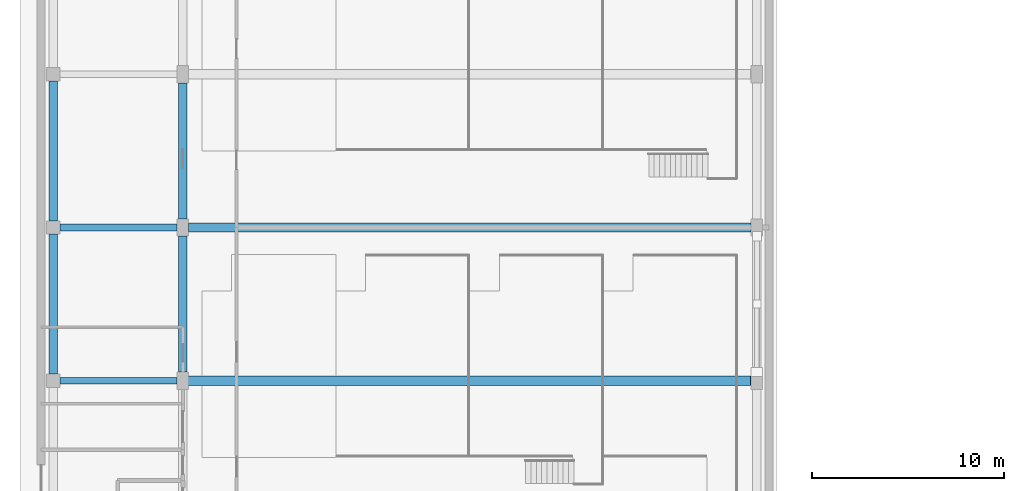
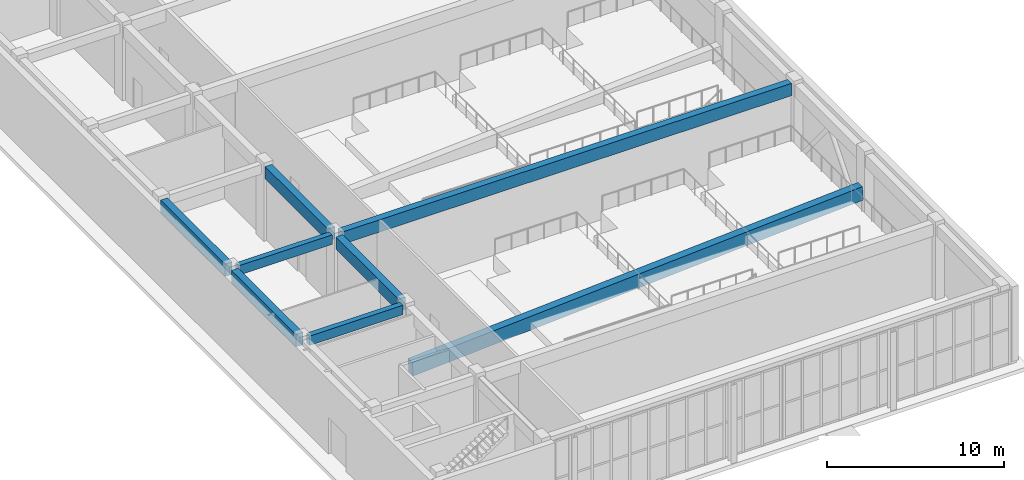
# One storey, part 7 of 46: 8 beams.
"""IFC4 building model written with IfcOpenShell, lengths in metres."""

from ifc_helpers import new_model, si_unit, direction, frame, origin, origin_2d, place, context, subcontext, project, spatial, rectangle, extrude, material, material_profile, profile_set, type_object, element, save


model = new_model("IFC4")

# Units and contexts
model_context = context("Model", 3, precision=1e-05, world=origin(), true_north=direction((0.0, 1.0)))
body_context = subcontext(model_context, "Body", "Model", "MODEL_VIEW")
ifc_project = project(units=[si_unit("LENGTHUNIT", "METRE"), si_unit("AREAUNIT", "SQUARE_METRE"), si_unit("VOLUMEUNIT", "CUBIC_METRE"), si_unit("PLANEANGLEUNIT", "RADIAN"), si_unit("MASSUNIT", "GRAM", prefix="KILO")], contexts=[model_context])

# Site, building, storey
site_placement = place(None, origin())
site = spatial("IfcSite", under=ifc_project, at=site_placement, CompositionType="ELEMENT")
building_placement = place(site_placement, origin())
building = spatial("IfcBuilding", under=site, at=building_placement, Name="Cinchona Park Media Centre", CompositionType="ELEMENT")
storey_placement = place(building_placement, origin())
storey = spatial("IfcBuildingStorey", under=building, at=storey_placement, Name="L00", CompositionType="ELEMENT", Elevation=0.0)

# Beams
ifc_material_1 = material(Name="Concrete C35/45", Category="concrete")
ifc_material_profile_1 = material_profile(ifc_material_1, rectangle(XDim=0.449951171875, YDim=0.85009765625, at=origin_2d()), Name="RB 450X850")
ifc_profile_set_1 = profile_set([ifc_material_profile_1], Name="Concrete C35/45")
beam_type_1 = type_object("IfcBeamType", Name="BEAM-B02-RB450X850", PredefinedType="BEAM", material=ifc_profile_set_1)
beam_1_placement = place(storey_placement, frame((15.699951171875, 31.60009765625, 4.715087890625), z_axis=(1.0, 0.0, 0.0), x_axis=(0.0, 1.0, 0.0)))
element("IfcBeam", 1, at=beam_1_placement, inside=storey, type_object=beam_type_1, Name="Beam B02 L00", PredefinedType="BEAM", context=body_context, shape_type="SweptSolid", body=[
    extrude(rectangle(XDim=0.449951171875, YDim=0.85009765625, at=origin_2d()), origin(), (0.0, 0.0, 1.0), 29.360107421875),
])
for number, where, z_axis, x_axis, name in (
    (2, (8.639892578125, 23.949951171875, 4.715087890625), (0.0, 1.0, 0.0), (-1.0, 0.0, 0.0), "Girder B02 L00"),
    (3, (8.639892578125, 31.949951171875, 4.715087890625), (0.0, 1.0, 0.0), (-1.0, 0.0, 0.0), "Girder B02 L00"),
):
    element("IfcBeam", number, at=place(storey_placement, frame(where, z_axis=z_axis, x_axis=x_axis)), inside=storey, type_object=beam_type_1, Name=name, PredefinedType="BEAM", context=body_context, shape_type="SweptSolid", body=[
        extrude(rectangle(XDim=0.449951171875, YDim=0.85009765625, at=origin_2d()), origin(), (0.0, 0.0, 1.0), 7.300048828125),
    ])
for number, where, z_axis, x_axis, name in (
    (4, (15.39990234375, 24.050048828125, 4.715087890625), (0.0, 1.0, 0.0), (-1.0, 0.0, 0.0), "Girder B02 L00"),
    (5, (15.39990234375, 32.050048828125, 4.715087890625), (0.0, 1.0, 0.0), (-1.0, 0.0, 0.0), "Girder B02 L00"),
):
    element("IfcBeam", number, at=place(storey_placement, frame(where, z_axis=z_axis, x_axis=x_axis)), inside=storey, type_object=beam_type_1, Name=name, PredefinedType="BEAM", context=body_context, shape_type="SweptSolid", body=[
        extrude(rectangle(XDim=0.449951171875, YDim=0.85009765625, at=origin_2d()), origin(), (0.0, 0.0, 1.0), 7.099853515625),
    ])
ifc_material_2 = material(Name="Concrete C40/50", Category="concrete")
ifc_material_profile_2 = material_profile(ifc_material_2, rectangle(XDim=0.5, YDim=0.949951171875, at=origin_2d()), Name="RB 500X950")
ifc_profile_set_2 = profile_set([ifc_material_profile_2], Name="Concrete C40/50")
beam_type_2 = type_object("IfcBeamType", Name="BEAM-B03-RB500X950", PredefinedType="BEAM", material=ifc_profile_set_2)
beam_2_placement = place(storey_placement, frame((15.68994140625, 23.60009765625, 0.550048828125), z_axis=(0.998002338819, 0.0, 0.063176987204), x_axis=(0.0, 1.0, 0.0)))
element("IfcBeam", 6, at=beam_2_placement, inside=storey, type_object=beam_type_2, Name="RAKER Beam Cinema Hall 1 1", PredefinedType="BEAM", context=body_context, shape_type="SweptSolid", body=[
    extrude(rectangle(XDim=0.5, YDim=0.949951171875, at=origin_2d()), origin(), (0.0, 0.0, 1.0), 29.43896484375),
])
ifc_material_3 = material(Name="Concrete C35/45", Category="concrete")
ifc_material_profile_3 = material_profile(ifc_material_3, rectangle(XDim=0.35009765625, YDim=0.64990234375, at=origin_2d()), Name="RB 350X650")
ifc_profile_set_3 = profile_set([ifc_material_profile_3], Name="Concrete C35/45")
beam_type_3 = type_object("IfcBeamType", Name="BEAM-B04-RB350X650", PredefinedType="BEAM", material=ifc_profile_set_3)
for number, where, z_axis, x_axis, name in (
    (7, (8.989990234375, 23.60009765625, 4.81494140625), (1.0, 0.0, 0.0), (0.0, 1.0, 0.0), "Beam B04 L00"),
    (8, (8.989990234375, 31.60009765625, 4.81494140625), (1.0, 0.0, 0.0), (0.0, 1.0, 0.0), "Beam B04 L00"),
):
    element("IfcBeam", number, at=place(storey_placement, frame(where, z_axis=z_axis, x_axis=x_axis)), inside=storey, type_object=beam_type_3, Name=name, PredefinedType="BEAM", context=body_context, shape_type="SweptSolid", body=[
        extrude(rectangle(XDim=0.35009765625, YDim=0.64990234375, at=origin_2d()), origin(), (0.0, 0.0, 1.0), 6.110107421875),
    ])

save(model, "model.ifc")
